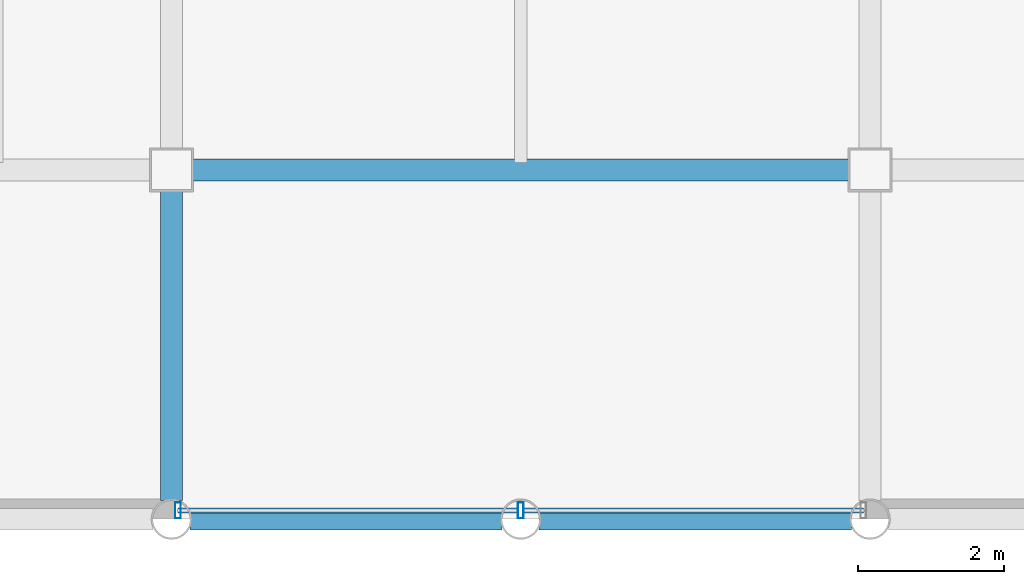
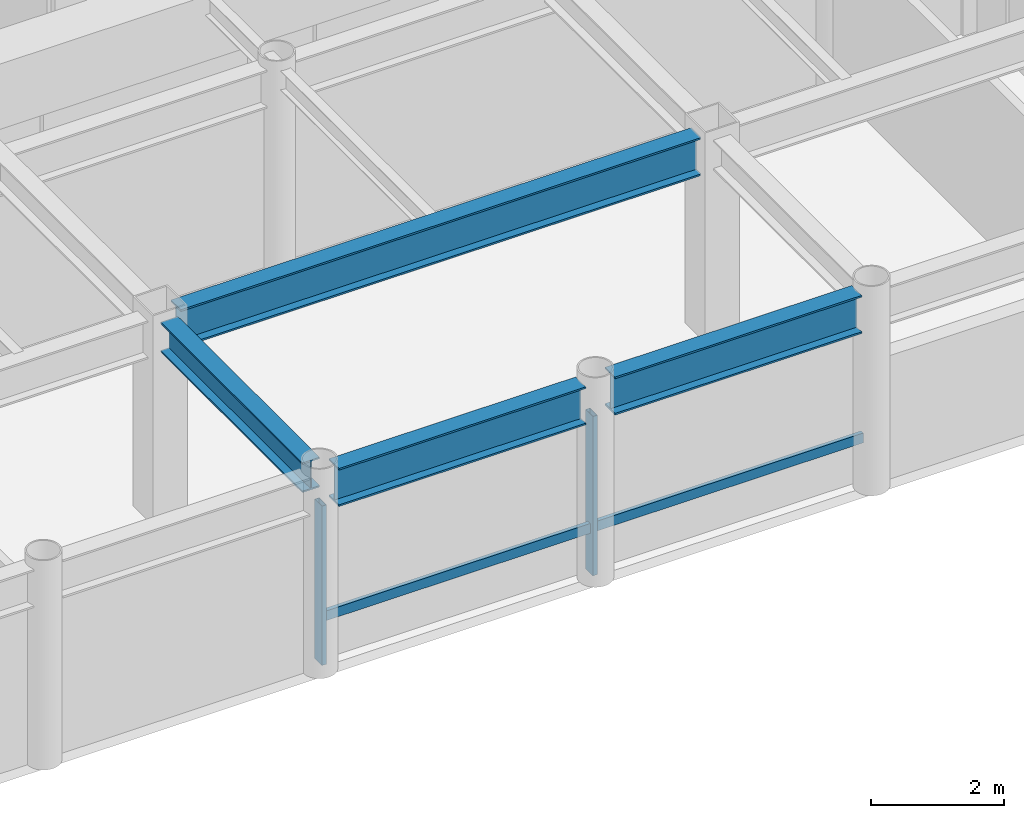
# One storey, part 4 of 22: 4 beams, 4 members, 1 element without a shape of its own.
"""IFC4 building model written with IfcOpenShell, lengths in metres."""

from ifc_helpers import new_model, si_unit, direction, frame, origin, origin_2d, place, context, subcontext, project, spatial, hollow_rectangle, i_section, extrude, material, layer, layer_set, material_profile, profile_set, type_object, element, aggregate, save


model = new_model("IFC4")

# Units and contexts
model_context = context("Model", 3, precision=1e-05, world=origin(), true_north=direction((0.0, 1.0)))
body_context = subcontext(model_context, "Body", "Model", "MODEL_VIEW")
ifc_project = project(units=[si_unit("LENGTHUNIT", "METRE"), si_unit("AREAUNIT", "SQUARE_METRE"), si_unit("VOLUMEUNIT", "CUBIC_METRE"), si_unit("PLANEANGLEUNIT", "RADIAN"), si_unit("MASSUNIT", "GRAM", prefix="KILO")], contexts=[model_context])

# Site, building, storey
site_placement = place(None, origin())
site = spatial("IfcSite", under=ifc_project, at=site_placement, CompositionType="ELEMENT")
building_placement = place(site_placement, origin())
building = spatial("IfcBuilding", under=site, at=building_placement, Name="Kallvorn Hotel Tower", CompositionType="ELEMENT")
storey_placement = place(building_placement, frame((0.0, 0.0, 230.0)))
storey = spatial("IfcBuildingStorey", under=building, at=storey_placement, Name="L57", CompositionType="ELEMENT", Elevation=230.0)

# Beams
ifc_material_1 = material(Name="Structural steel S355JR", Category="steel")
ifc_material_profile_1 = material_profile(ifc_material_1, i_section(OverallWidth=0.300048828125, OverallDepth=0.550048828125, WebThickness=0.014892578125, FlangeThickness=0.029052734375, at=origin_2d()), Name="HE 550 B")
ifc_profile_set_1 = profile_set([ifc_material_profile_1], Name="Structural steel S355JR")
beam_type_1 = type_object("IfcBeamType", Name="BM_HE550B", PredefinedType="SPANDREL", material=ifc_profile_set_1)
beam_1_placement = place(storey_placement, frame((-4.800048828125, -18.945556640625, 3.39501953125), z_axis=(0.0, 1.0, 0.0), x_axis=(-1.0, 0.0, 0.0)))
element("IfcBeam", 1, at=beam_1_placement, inside=storey, type_object=beam_type_1, Name="L58 Primary Y-Girder 105", PredefinedType="SPANDREL", context=body_context, shape_type="SweptSolid", body=[
    extrude(i_section(OverallWidth=0.300048828125, OverallDepth=0.550048828125, WebThickness=0.014892578125, FlangeThickness=0.029052734375, at=origin_2d()), origin(), (0.0, 0.0, 1.0), 4.2705078125),
])
ifc_material_2 = material(Name="Structural steel S355JR", Category="steel")
ifc_material_profile_2 = material_profile(ifc_material_2, i_section(OverallWidth=0.300048828125, OverallDepth=0.699951171875, WebThickness=0.01708984375, FlangeThickness=0.031982421875, at=origin_2d()), Name="HE 700 B")
ifc_profile_set_2 = profile_set([ifc_material_profile_2], Name="Structural steel S355JR")
beam_type_2 = type_object("IfcBeamType", Name="BM_HE700B", PredefinedType="BEAM", material=ifc_profile_set_2)
for number, where, z_axis, x_axis, name in (
    (2, (-4.54541015625, -19.199951171875, 3.320068359375), (1.0, 0.0, 0.0), (0.0, 1.0, 0.0), "L58 Primary X-Girder 06"),
    (3, (0.25439453125, -19.199951171875, 3.320068359375), (1.0, 0.0, 0.0), (0.0, 1.0, 0.0), "L58 Primary X-Girder 07"),
):
    element("IfcBeam", number, at=place(storey_placement, frame(where, z_axis=z_axis, x_axis=x_axis)), inside=storey, type_object=beam_type_2, Name=name, PredefinedType="BEAM", context=body_context, shape_type="SweptSolid", body=[
        extrude(i_section(OverallWidth=0.300048828125, OverallDepth=0.699951171875, WebThickness=0.01708984375, FlangeThickness=0.031982421875, at=origin_2d()), origin(), (0.0, 0.0, 1.0), 4.291015625),
    ])
beam_2_placement = place(storey_placement, frame((-4.52490234375, -14.39990234375, 3.320068359375), z_axis=(1.0, 0.0, 0.0), x_axis=(0.0, 1.0, 0.0)))
element("IfcBeam", 4, at=beam_2_placement, inside=storey, type_object=beam_type_2, Name="L58 Primary X-Girder 17", PredefinedType="BEAM", context=body_context, shape_type="SweptSolid", body=[
    extrude(i_section(OverallWidth=0.300048828125, OverallDepth=0.699951171875, WebThickness=0.01708984375, FlangeThickness=0.031982421875, at=origin_2d()), origin(), (0.0, 0.0, 1.0), 9.0498046875),
])

# Curtain wall, members
ifc_material_3 = material(Name="Thermally broken black-anodised aluminium AA 6063-T6", Category="aluminium")
ifc_layer = layer(ifc_material_3, 0.22998046875)
ifc_layer_set = layer_set([ifc_layer], Name="CW_SYS_5_HOTEL_HIGH")
curtain_wall_type = type_object("IfcCurtainWallType", Name="CW_SYS_5_HOTEL_HIGH", PredefinedType="USERDEFINED", material=ifc_layer_set)
curtain_wall_placement = place(storey_placement, origin())
curtain_wall = element("IfcCurtainWall", 5, at=curtain_wall_placement, inside=storey, type_object=curtain_wall_type, Name="L57 Dark-Glass Curtain Wall CW-L57-SC", ObjectType="UNITISED CURTAIN WALL", PredefinedType="USERDEFINED")
ifc_material_4 = material(Name="Thermally broken black-anodised aluminium AA 6063-T6", Category="aluminium")
ifc_material_profile_3 = material_profile(ifc_material_4, hollow_rectangle(XDim=0.080078125, YDim=0.219970703125, WallThickness=0.0048828125, at=origin_2d()), Name="MUL 220x80")
ifc_profile_set_3 = profile_set([ifc_material_profile_3], Name="Thermally broken black-anodised aluminium AA 6063-T6")
member_type_1 = type_object("IfcMemberType", Name="CW_MULLION_220x80", PredefinedType="MULLION", material=ifc_profile_set_3)
member_1_placement = place(storey_placement, frame((-4.7099609375, -19.080078125, 0.02001953125), z_axis=(0.0, 0.0, 1.0), x_axis=(1.0, 0.0, 0.0)))
member_1 = element("IfcMember", 6, at=member_1_placement, type_object=member_type_1, Name="CW-L57-SC Mullion 00", PredefinedType="MULLION", context=body_context, shape_type="SweptSolid", body=[
    extrude(hollow_rectangle(XDim=0.080078125, YDim=0.219970703125, WallThickness=0.0048828125, at=origin_2d()), origin(), (0.0, 0.0, 1.0), 2.929931640625),
])
member_2_placement = place(storey_placement, frame((0.0, -19.080078125, 0.02001953125), z_axis=(0.0, 0.0, 1.0), x_axis=(1.0, 0.0, 0.0)))
member_2 = element("IfcMember", 7, at=member_2_placement, type_object=member_type_1, Name="CW-L57-SC Mullion 01", PredefinedType="MULLION", context=body_context, shape_type="SweptSolid", body=[
    extrude(hollow_rectangle(XDim=0.080078125, YDim=0.219970703125, WallThickness=0.0048828125, at=origin_2d()), origin(), (0.0, 0.0, 1.0), 2.929931640625),
])
ifc_material_5 = material(Name="Thermally broken black-anodised aluminium AA 6063-T6", Category="aluminium")
ifc_material_profile_4 = material_profile(ifc_material_5, hollow_rectangle(XDim=0.070068359375, YDim=0.179931640625, WallThickness=0.00390625, at=origin_2d()), Name="TRN 180x70")
ifc_profile_set_4 = profile_set([ifc_material_profile_4], Name="Thermally broken black-anodised aluminium AA 6063-T6")
member_type_2 = type_object("IfcMemberType", Name="CW_TRANSOM_180x70", PredefinedType="USERDEFINED", material=ifc_profile_set_4)
member_3_placement = place(storey_placement, frame((-4.7099609375, -19.080078125, 0.85009765625), z_axis=(1.0, 0.0, 0.0), x_axis=(0.0, 1.0, 0.0)))
member_3 = element("IfcMember", 8, at=member_3_placement, type_object=member_type_2, Name="CW-L57-SC Transom 00M", ObjectType="TRANSOM", PredefinedType="USERDEFINED", context=body_context, shape_type="SweptSolid", body=[
    extrude(hollow_rectangle(XDim=0.070068359375, YDim=0.179931640625, WallThickness=0.00390625, at=origin_2d()), origin(), (0.0, 0.0, 1.0), 4.669921875),
])
member_4_placement = place(storey_placement, frame((0.0400390625, -19.080078125, 0.85009765625), z_axis=(1.0, 0.0, 0.0), x_axis=(0.0, 1.0, 0.0)))
member_4 = element("IfcMember", 9, at=member_4_placement, type_object=member_type_2, Name="CW-L57-SC Transom 01M", ObjectType="TRANSOM", PredefinedType="USERDEFINED", context=body_context, shape_type="SweptSolid", body=[
    extrude(hollow_rectangle(XDim=0.070068359375, YDim=0.179931640625, WallThickness=0.00390625, at=origin_2d()), origin(), (0.0, 0.0, 1.0), 4.669921875),
])
aggregate(curtain_wall, [member_1, member_2, member_3, member_4])

save(model, "model.ifc")
